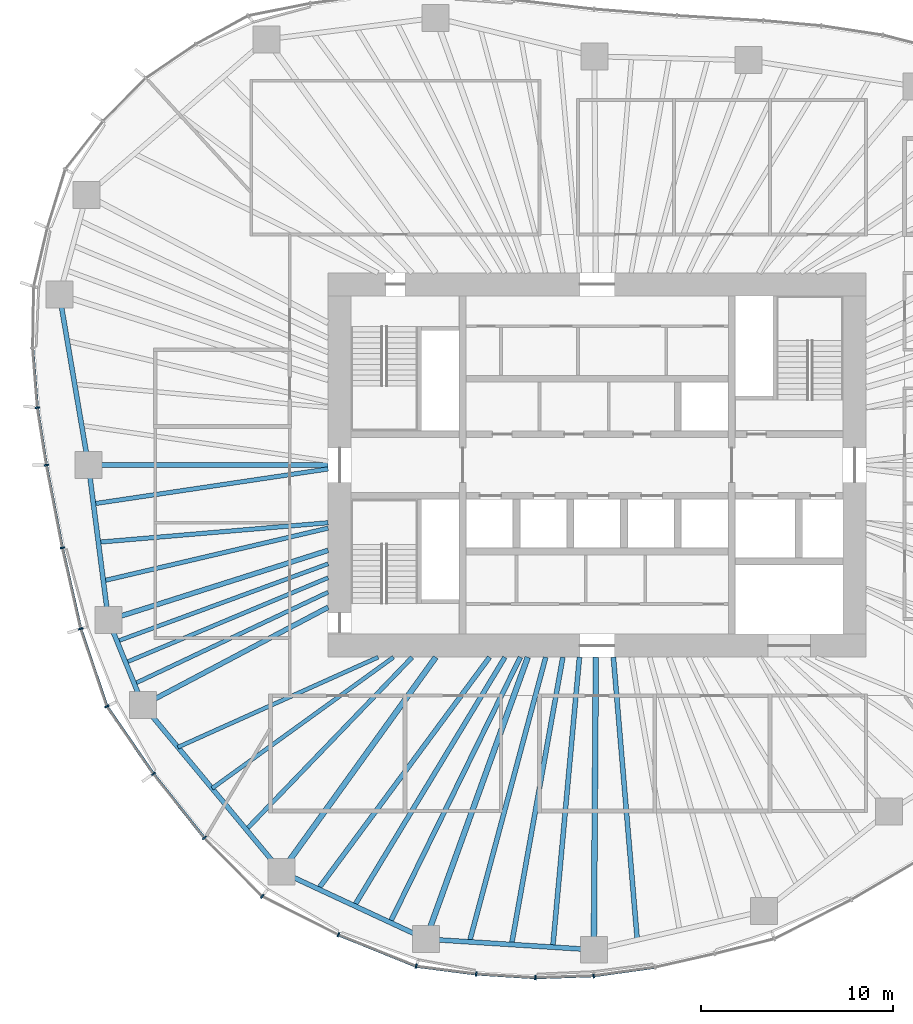
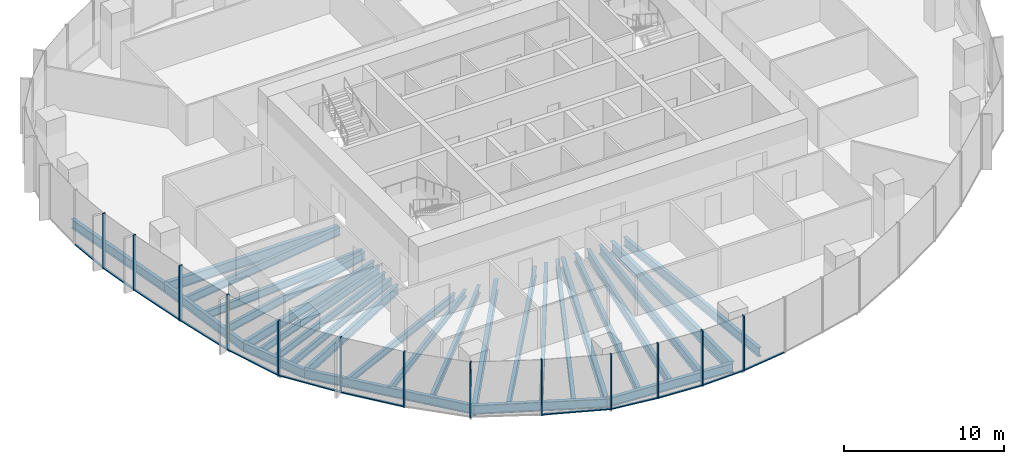
# One storey, part 2 of 18: 28 beams, 25 members, 7 elements without a shape of their own.
"""IFC4 building model written with IfcOpenShell, lengths in metres."""

from ifc_helpers import new_model, si_unit, direction, frame, origin, origin_2d, place, context, subcontext, project, spatial, rectangle, i_section, extrude, material, material_profile, profile_set, type_object, element, aggregate, save


model = new_model("IFC4")

# Units and contexts
model_context = context("Model", 3, precision=1e-05, world=origin(), true_north=direction((0.0, 1.0)))
body_context = subcontext(model_context, "Body", "Model", "MODEL_VIEW")
ifc_project = project(units=[si_unit("LENGTHUNIT", "METRE"), si_unit("AREAUNIT", "SQUARE_METRE"), si_unit("VOLUMEUNIT", "CUBIC_METRE"), si_unit("PLANEANGLEUNIT", "RADIAN"), si_unit("MASSUNIT", "GRAM", prefix="KILO")], contexts=[model_context])

# Site, building, storey
site_placement = place(None, origin())
site = spatial("IfcSite", under=ifc_project, at=site_placement, CompositionType="ELEMENT")
building_placement = place(site_placement, origin())
building = spatial("IfcBuilding", under=site, at=building_placement, Name="Ghaith Harvest Tower", CompositionType="ELEMENT")
storey_placement = place(building_placement, frame((0.0, 0.0, 147.0)))
storey = spatial("IfcBuildingStorey", under=building, at=storey_placement, Name="L31", CompositionType="ELEMENT", Elevation=147.0)

# Curtain wall, member
ifc_material_1 = material(Name="Black anodised aluminium and fritted glass", Category="aluminium")
curtain_wall_type = type_object("IfcCurtainWallType", Name="CW-L CURTAIN WALL", PredefinedType="NOTDEFINED", material=ifc_material_1)
curtain_wall_1_placement = place(storey_placement, origin())
curtain_wall_1 = element("IfcCurtainWall", 1, at=curtain_wall_1_placement, inside=storey, type_object=curtain_wall_type, Name="Curtain wall CW-L bay 10 L31", PredefinedType="NOTDEFINED")
ifc_material_2 = material(Name="Aluminium, black anodised", Category="aluminium")
ifc_material_profile_1 = material_profile(ifc_material_2, rectangle(XDim=0.080078125, YDim=0.239990234375, at=origin_2d()), Name="CW-L MULLION 80x240")
ifc_profile_set_1 = profile_set([ifc_material_profile_1], Name="Aluminium, black anodised")
member_type_1 = type_object("IfcMemberType", Name="CW-L MULLION 80x240", PredefinedType="MULLION", material=ifc_profile_set_1)
member_1_placement = place(storey_placement, frame((-29.131103515625, 2.990478515625, 0.0), z_axis=(0.0, 0.0, 1.0), x_axis=(0.116763791346, -0.993159713757, 0.0)))
member_1 = element("IfcMember", 2, at=member_1_placement, type_object=member_type_1, Name="CW-L mullion 3 bay 10 L31", PredefinedType="MULLION", context=body_context, shape_type="SweptSolid", body=[
    extrude(rectangle(XDim=0.080078125, YDim=0.239990234375, at=origin_2d()), origin(), (0.0, 0.0, 1.0), 4.199951171875),
])

# Curtain wall, members
curtain_wall_2_placement = place(storey_placement, origin())
curtain_wall_2 = element("IfcCurtainWall", 3, at=curtain_wall_2_placement, inside=storey, type_object=curtain_wall_type, Name="Curtain wall CW-L bay 11 L31", PredefinedType="NOTDEFINED")
member_2_placement = place(storey_placement, frame((-28.6611328125, 0.0, 0.0), z_axis=(0.0, 0.0, 1.0), x_axis=(0.175827209372, -0.984421044292, 0.0)))
member_2 = element("IfcMember", 4, at=member_2_placement, type_object=member_type_1, Name="CW-L mullion 1 bay 11 L31", PredefinedType="MULLION", context=body_context, shape_type="SweptSolid", body=[
    extrude(rectangle(XDim=0.080078125, YDim=0.239990234375, at=origin_2d()), origin(), (0.0, 0.0, 1.0), 4.199951171875),
])
member_3_placement = place(storey_placement, frame((-27.828125, -4.30419921875, 0.0), z_axis=(0.0, 0.0, 1.0), x_axis=(0.205176300018, -0.978725030798, 0.0)))
member_3 = element("IfcMember", 5, at=member_3_placement, type_object=member_type_1, Name="CW-L mullion 2 bay 11 L31", PredefinedType="MULLION", context=body_context, shape_type="SweptSolid", body=[
    extrude(rectangle(XDim=0.080078125, YDim=0.239990234375, at=origin_2d()), origin(), (0.0, 0.0, 1.0), 4.199951171875),
])

curtain_wall_3_placement = place(storey_placement, origin())
curtain_wall_3 = element("IfcCurtainWall", 6, at=curtain_wall_3_placement, inside=storey, type_object=curtain_wall_type, Name="Curtain wall CW-L bay 12 L31", PredefinedType="NOTDEFINED")
member_4_placement = place(storey_placement, frame((-26.875732421875, -8.517333984375, 0.0), z_axis=(0.0, 0.0, 1.0), x_axis=(0.270018818005, -0.962855045125, 0.0)))
member_4 = element("IfcMember", 7, at=member_4_placement, type_object=member_type_1, Name="CW-L mullion 1 bay 12 L31", PredefinedType="MULLION", context=body_context, shape_type="SweptSolid", body=[
    extrude(rectangle(XDim=0.080078125, YDim=0.239990234375, at=origin_2d()), origin(), (0.0, 0.0, 1.0), 4.199951171875),
])
member_5_placement = place(storey_placement, frame((-25.513427734375, -12.55810546875, 0.0), z_axis=(0.0, 0.0, 1.0), x_axis=(0.448267068681, -0.893899678452, 0.0)))
member_5 = element("IfcMember", 8, at=member_5_placement, type_object=member_type_1, Name="CW-L mullion 2 bay 12 L31", PredefinedType="MULLION", context=body_context, shape_type="SweptSolid", body=[
    extrude(rectangle(XDim=0.080078125, YDim=0.239990234375, at=origin_2d()), origin(), (0.0, 0.0, 1.0), 4.199951171875),
])

curtain_wall_4_placement = place(storey_placement, origin())
curtain_wall_4 = element("IfcCurtainWall", 9, at=curtain_wall_4_placement, inside=storey, type_object=curtain_wall_type, Name="Curtain wall CW-L bay 13 L31", PredefinedType="NOTDEFINED")
member_6_placement = place(storey_placement, frame((-23.090087890625, -16.066162109375, 0.0), z_axis=(0.0, 0.0, 1.0), x_axis=(0.595740202191, -0.803177198066, 0.0)))
member_6 = element("IfcMember", 10, at=member_6_placement, type_object=member_type_1, Name="CW-L mullion 1 bay 13 L31", PredefinedType="MULLION", context=body_context, shape_type="SweptSolid", body=[
    extrude(rectangle(XDim=0.080078125, YDim=0.239990234375, at=origin_2d()), origin(), (0.0, 0.0, 1.0), 4.199951171875),
])
member_7_placement = place(storey_placement, frame((-20.441162109375, -19.396728515625, 0.0), z_axis=(0.0, 0.0, 1.0), x_axis=(0.663764675537, -0.747941478666, 0.0)))
member_7 = element("IfcMember", 11, at=member_7_placement, type_object=member_type_1, Name="CW-L mullion 2 bay 13 L31", PredefinedType="MULLION", context=body_context, shape_type="SweptSolid", body=[
    extrude(rectangle(XDim=0.080078125, YDim=0.239990234375, at=origin_2d()), origin(), (0.0, 0.0, 1.0), 4.199951171875),
])

curtain_wall_5_placement = place(storey_placement, origin())
curtain_wall_5 = element("IfcCurtainWall", 12, at=curtain_wall_5_placement, inside=storey, type_object=curtain_wall_type, Name="Curtain wall CW-L bay 14 L31", PredefinedType="NOTDEFINED")
member_8_placement = place(storey_placement, frame((-17.430419921875, -22.443603515625, 0.0), z_axis=(0.0, 0.0, 1.0), x_axis=(0.810339399222, -0.585960799089, 0.0)))
member_8 = element("IfcMember", 13, at=member_8_placement, type_object=member_type_1, Name="CW-L mullion 1 bay 14 L31", PredefinedType="MULLION", context=body_context, shape_type="SweptSolid", body=[
    extrude(rectangle(XDim=0.080078125, YDim=0.239990234375, at=origin_2d()), origin(), (0.0, 0.0, 1.0), 4.199951171875),
])
member_9_placement = place(storey_placement, frame((-13.463134765625, -24.4423828125, 0.0), z_axis=(0.0, 0.0, 1.0), x_axis=(0.910648017946, -0.413182995066, 0.0)))
member_9 = element("IfcMember", 14, at=member_9_placement, type_object=member_type_1, Name="CW-L mullion 2 bay 14 L31", PredefinedType="MULLION", context=body_context, shape_type="SweptSolid", body=[
    extrude(rectangle(XDim=0.080078125, YDim=0.239990234375, at=origin_2d()), origin(), (0.0, 0.0, 1.0), 4.199951171875),
])

curtain_wall_6_placement = place(storey_placement, origin())
curtain_wall_6 = element("IfcCurtainWall", 15, at=curtain_wall_6_placement, inside=storey, type_object=curtain_wall_type, Name="Curtain wall CW-L bay 15 L31", PredefinedType="NOTDEFINED")
member_10_placement = place(storey_placement, frame((-9.4189453125, -26.07861328125, 0.0), z_axis=(0.0, 0.0, 1.0), x_axis=(0.961788606004, -0.273793128768, 0.0)))
member_10 = element("IfcMember", 16, at=member_10_placement, type_object=member_type_1, Name="CW-L mullion 1 bay 15 L31", PredefinedType="MULLION", context=body_context, shape_type="SweptSolid", body=[
    extrude(rectangle(XDim=0.080078125, YDim=0.239990234375, at=origin_2d()), origin(), (0.0, 0.0, 1.0), 4.199951171875),
])
member_11_placement = place(storey_placement, frame((-6.29443359375, -26.483154296875, 0.0), z_axis=(0.0, 0.0, 1.0), x_axis=(0.995389243171, -0.095917957546, 0.0)))
member_11 = element("IfcMember", 17, at=member_11_placement, type_object=member_type_1, Name="CW-L mullion 2 bay 15 L31", PredefinedType="MULLION", context=body_context, shape_type="SweptSolid", body=[
    extrude(rectangle(XDim=0.080078125, YDim=0.239990234375, at=origin_2d()), origin(), (0.0, 0.0, 1.0), 4.199951171875),
])
member_12_placement = place(storey_placement, frame((-3.21923828125, -26.676025390625, 0.0), z_axis=(0.0, 0.0, 1.0), x_axis=(0.999890531495, -0.014796115241, 0.0)))
member_12 = element("IfcMember", 18, at=member_12_placement, type_object=member_type_1, Name="CW-L mullion 3 bay 15 L31", PredefinedType="MULLION", context=body_context, shape_type="SweptSolid", body=[
    extrude(rectangle(XDim=0.080078125, YDim=0.239990234375, at=origin_2d()), origin(), (0.0, 0.0, 1.0), 4.199951171875),
])

# Curtain wall, member
curtain_wall_7_placement = place(storey_placement, origin())
curtain_wall_7 = element("IfcCurtainWall", 19, at=curtain_wall_7_placement, inside=storey, type_object=curtain_wall_type, Name="Curtain wall CW-L bay 16 L31", PredefinedType="NOTDEFINED")
member_13_placement = place(storey_placement, frame((-0.181884765625, -26.57373046875, 0.0), z_axis=(0.0, 0.0, 1.0), x_axis=(0.996169227662, 0.087446382772, 0.0)))
member_13 = element("IfcMember", 20, at=member_13_placement, type_object=member_type_1, Name="CW-L mullion 1 bay 16 L31", PredefinedType="MULLION", context=body_context, shape_type="SweptSolid", body=[
    extrude(rectangle(XDim=0.080078125, YDim=0.239990234375, at=origin_2d()), origin(), (0.0, 0.0, 1.0), 4.199951171875),
])

# Member
ifc_material_3 = material(Name="Aluminium, black anodised", Category="aluminium")
ifc_material_profile_2 = material_profile(ifc_material_3, rectangle(XDim=0.14990234375, YDim=0.080078125, at=origin_2d()), Name="CW-L TRANSOM 150x80")
ifc_profile_set_2 = profile_set([ifc_material_profile_2], Name="Aluminium, black anodised")
member_type_2 = type_object("IfcMemberType", Name="CW-L TRANSOM 150x80", PredefinedType="USERDEFINED", material=ifc_profile_set_2)
member_14_placement = place(storey_placement, frame((-29.374755859375, 6.05615234375, 0.0400390625), z_axis=(0.079230491279, -0.996856323274, 0.0), x_axis=(0.996856323274, 0.079230491279, 0.0)))
member_14 = element("IfcMember", 21, at=member_14_placement, type_object=member_type_2, Name="CW-L transom 2 bay 10 L31", ObjectType="TRANSOM", PredefinedType="USERDEFINED", context=body_context, shape_type="SweptSolid", body=[
    extrude(rectangle(XDim=0.14990234375, YDim=0.080078125, at=origin_2d()), origin(), (0.0, 0.0, 1.0), 3.03515625),
])

member_15_placement = place(storey_placement, frame((-29.124755859375, 2.951171875, 0.0400390625), z_axis=(0.155150065502, -0.987890913601, 0.0), x_axis=(0.987890913601, 0.155150065502, 0.0)))
member_15 = element("IfcMember", 22, at=member_15_placement, type_object=member_type_2, Name="CW-L transom 3 bay 10 L31", ObjectType="TRANSOM", PredefinedType="USERDEFINED", context=body_context, shape_type="SweptSolid", body=[
    extrude(rectangle(XDim=0.14990234375, YDim=0.080078125, at=origin_2d()), origin(), (0.0, 0.0, 1.0), 2.947265625),
])

aggregate(curtain_wall_1, [member_14, member_1, member_15])

member_16_placement = place(storey_placement, frame((-28.653564453125, -0.039306640625, 0.0400390625), z_axis=(0.190025434036, -0.981779167848, 0.0), x_axis=(0.981779167848, 0.190025434036, 0.0)))
member_16 = element("IfcMember", 23, at=member_16_placement, type_object=member_type_2, Name="CW-L transom 1 bay 11 L31", ObjectType="TRANSOM", PredefinedType="USERDEFINED", context=body_context, shape_type="SweptSolid", body=[
    extrude(rectangle(XDim=0.14990234375, YDim=0.080078125, at=origin_2d()), origin(), (0.0, 0.0, 1.0), 4.303955078125),
])

member_17_placement = place(storey_placement, frame((-27.8193359375, -4.34326171875, 0.0400390625), z_axis=(0.220508326041, -0.975385092231, 0.0), x_axis=(0.975385092231, 0.220508326041, 0.0)))
member_17 = element("IfcMember", 24, at=member_17_placement, type_object=member_type_2, Name="CW-L transom 2 bay 11 L31", ObjectType="TRANSOM", PredefinedType="USERDEFINED", context=body_context, shape_type="SweptSolid", body=[
    extrude(rectangle(XDim=0.14990234375, YDim=0.080078125, at=origin_2d()), origin(), (0.0, 0.0, 1.0), 4.2392578125),
])

aggregate(curtain_wall_2, [member_2, member_16, member_3, member_17])

member_18_placement = place(storey_placement, frame((-26.863037109375, -8.55517578125, 0.0400390625), z_axis=(0.319499057133, -0.947586593664, 0.0), x_axis=(0.947586593664, 0.319499057133, 0.0)))
member_18 = element("IfcMember", 25, at=member_18_placement, type_object=member_type_2, Name="CW-L transom 1 bay 12 L31", ObjectType="TRANSOM", PredefinedType="USERDEFINED", context=body_context, shape_type="SweptSolid", body=[
    extrude(rectangle(XDim=0.14990234375, YDim=0.080078125, at=origin_2d()), origin(), (0.0, 0.0, 1.0), 4.184326171875),
])

member_19_placement = place(storey_placement, frame((-25.49072265625, -12.591064453125, 0.0400390625), z_axis=(0.568360052499, -0.822779952796, 0.0), x_axis=(0.822779952796, 0.568360052499, 0.0)))
member_19 = element("IfcMember", 26, at=member_19_placement, type_object=member_type_2, Name="CW-L transom 2 bay 12 L31", ObjectType="TRANSOM", PredefinedType="USERDEFINED", context=body_context, shape_type="SweptSolid", body=[
    extrude(rectangle(XDim=0.14990234375, YDim=0.080078125, at=origin_2d()), origin(), (0.0, 0.0, 1.0), 4.183837890625),
])

aggregate(curtain_wall_3, [member_4, member_18, member_5, member_19])

member_20_placement = place(storey_placement, frame((-23.065185546875, -16.09765625, 0.0400390625), z_axis=(0.622510542814, -0.782611413209, 0.0), x_axis=(0.782611413209, 0.622510542814, 0.0)))
member_20 = element("IfcMember", 27, at=member_20_placement, type_object=member_type_2, Name="CW-L transom 1 bay 13 L31", ObjectType="TRANSOM", PredefinedType="USERDEFINED", context=body_context, shape_type="SweptSolid", body=[
    extrude(rectangle(XDim=0.14990234375, YDim=0.080078125, at=origin_2d()), origin(), (0.0, 0.0, 1.0), 4.17529296875),
])

aggregate(curtain_wall_4, [member_6, member_20, member_7])

member_21_placement = place(storey_placement, frame((-13.426025390625, -24.45751953125, 0.0400390625), z_axis=(0.92700297754, -0.375053968959, 0.0), x_axis=(0.375053968959, 0.92700297754, 0.0)))
member_21 = element("IfcMember", 28, at=member_21_placement, type_object=member_type_2, Name="CW-L transom 2 bay 14 L31", ObjectType="TRANSOM", PredefinedType="USERDEFINED", context=body_context, shape_type="SweptSolid", body=[
    extrude(rectangle(XDim=0.14990234375, YDim=0.080078125, at=origin_2d()), origin(), (0.0, 0.0, 1.0), 4.282470703125),
])

aggregate(curtain_wall_5, [member_8, member_9, member_21])

member_22_placement = place(storey_placement, frame((-9.37939453125, -26.083740234375, 0.0400390625), z_axis=(0.991722765635, -0.128397648429, 0.0), x_axis=(0.128397648429, 0.991722765635, 0.0)))
member_22 = element("IfcMember", 29, at=member_22_placement, type_object=member_type_2, Name="CW-L transom 1 bay 15 L31", ObjectType="TRANSOM", PredefinedType="USERDEFINED", context=body_context, shape_type="SweptSolid", body=[
    extrude(rectangle(XDim=0.14990234375, YDim=0.080078125, at=origin_2d()), origin(), (0.0, 0.0, 1.0), 3.07080078125),
])

member_23_placement = place(storey_placement, frame((-6.25439453125, -26.485595703125, 0.0400390625), z_axis=(0.998036402434, -0.062636566132, 0.0), x_axis=(0.062636566132, 0.998036402434, 0.0)))
member_23 = element("IfcMember", 30, at=member_23_placement, type_object=member_type_2, Name="CW-L transom 2 bay 15 L31", ObjectType="TRANSOM", PredefinedType="USERDEFINED", context=body_context, shape_type="SweptSolid", body=[
    extrude(rectangle(XDim=0.14990234375, YDim=0.080078125, at=origin_2d()), origin(), (0.0, 0.0, 1.0), 3.001220703125),
])

member_24_placement = place(storey_placement, frame((-3.17919921875, -26.6748046875, 0.0400390625), z_axis=(0.999430436664, 0.033746144522, 0.0), x_axis=(-0.033746144522, 0.999430436664, 0.0)))
member_24 = element("IfcMember", 31, at=member_24_placement, type_object=member_type_2, Name="CW-L transom 3 bay 15 L31", ObjectType="TRANSOM", PredefinedType="USERDEFINED", context=body_context, shape_type="SweptSolid", body=[
    extrude(rectangle(XDim=0.14990234375, YDim=0.080078125, at=origin_2d()), origin(), (0.0, 0.0, 1.0), 2.958984375),
])

aggregate(curtain_wall_6, [member_10, member_22, member_11, member_23, member_12, member_24])

member_25_placement = place(storey_placement, frame((-0.142333984375, -26.568115234375, 0.0400390625), z_axis=(0.990446640965, 0.137896524254, 0.0), x_axis=(-0.137896524254, 0.990446640965, 0.0)))
member_25 = element("IfcMember", 32, at=member_25_placement, type_object=member_type_2, Name="CW-L transom 1 bay 16 L31", ObjectType="TRANSOM", PredefinedType="USERDEFINED", context=body_context, shape_type="SweptSolid", body=[
    extrude(rectangle(XDim=0.14990234375, YDim=0.080078125, at=origin_2d()), origin(), (0.0, 0.0, 1.0), 3.142578125),
])

aggregate(curtain_wall_7, [member_13, member_25])

# Beams
ifc_material_4 = material(Name="Steel ASTM A992 Grade 50", Category="steel")
ifc_material_profile_3 = material_profile(ifc_material_4, i_section(OverallWidth=0.25390625, OverallDepth=0.68408203125, WebThickness=0.012451171875, FlangeThickness=0.018798828125, at=origin_2d()), Name="W690X140")
ifc_profile_set_3 = profile_set([ifc_material_profile_3], Name="Steel ASTM A992 Grade 50")
beam_type_1 = type_object("IfcBeamType", Name="E690-140 W690X140", PredefinedType="SPANDREL", material=ifc_profile_set_3)
beam_1_placement = place(storey_placement, frame((-27.98291015625, 8.867919921875, -0.511962890625), z_axis=(0.167624246844, -0.985850958244, 0.0), x_axis=(0.985850958244, 0.167624246844, 0.0)))
element("IfcBeam", 33, at=beam_1_placement, inside=storey, type_object=beam_type_1, Name="Edge beam E10 L31", PredefinedType="SPANDREL", context=body_context, shape_type="SweptSolid", body=[
    extrude(i_section(OverallWidth=0.25390625, OverallDepth=0.68408203125, WebThickness=0.012451171875, FlangeThickness=0.018798828125, at=origin_2d()), origin(), (0.0, 0.0, 1.0), 8.9951171875),
])
beam_2_placement = place(storey_placement, frame((-26.47509765625, 0.0, -0.511962890625), z_axis=(0.127841715048, -0.991794583517, 0.0), x_axis=(0.991794583517, 0.127841715048, 0.0)))
element("IfcBeam", 34, at=beam_2_placement, inside=storey, type_object=beam_type_1, Name="Edge beam E11 L31", PredefinedType="SPANDREL", context=body_context, shape_type="SweptSolid", body=[
    extrude(i_section(OverallWidth=0.25390625, OverallDepth=0.68408203125, WebThickness=0.012451171875, FlangeThickness=0.018798828125, at=origin_2d()), origin(), (0.0, 0.0, 1.0), 8.127685546875),
])
beam_3_placement = place(storey_placement, frame((-25.43603515625, -8.06103515625, -0.511962890625), z_axis=(0.376479712052, -0.9264248628, 0.0), x_axis=(0.9264248628, 0.376479712052, 0.0)))
element("IfcBeam", 35, at=beam_3_placement, inside=storey, type_object=beam_type_1, Name="Edge beam E12 L31", PredefinedType="SPANDREL", context=body_context, shape_type="SweptSolid", body=[
    extrude(i_section(OverallWidth=0.25390625, OverallDepth=0.68408203125, WebThickness=0.012451171875, FlangeThickness=0.018798828125, at=origin_2d()), origin(), (0.0, 0.0, 1.0), 4.783935546875),
])
beam_4_placement = place(storey_placement, frame((-23.635009765625, -12.492919921875, -0.511962890625), z_axis=(0.638719320052, -0.769439815835, 0.0), x_axis=(0.769439815835, 0.638719320052, 0.0)))
element("IfcBeam", 36, at=beam_4_placement, inside=storey, type_object=beam_type_1, Name="Edge beam E13 L31", PredefinedType="SPANDREL", context=body_context, shape_type="SweptSolid", body=[
    extrude(i_section(OverallWidth=0.25390625, OverallDepth=0.68408203125, WebThickness=0.012451171875, FlangeThickness=0.018798828125, at=origin_2d()), origin(), (0.0, 0.0, 1.0), 11.26953125),
])
beam_5_placement = place(storey_placement, frame((-16.43701171875, -21.1640625, -0.511962890625), z_axis=(0.906607079462, -0.421975832802, 0.0), x_axis=(0.421975832802, 0.906607079462, 0.0)))
element("IfcBeam", 37, at=beam_5_placement, inside=storey, type_object=beam_type_1, Name="Edge beam E14 L31", PredefinedType="SPANDREL", context=body_context, shape_type="SweptSolid", body=[
    extrude(i_section(OverallWidth=0.25390625, OverallDepth=0.68408203125, WebThickness=0.012451171875, FlangeThickness=0.018798828125, at=origin_2d()), origin(), (0.0, 0.0, 1.0), 8.303466796875),
])
beam_6_placement = place(storey_placement, frame((-8.908935546875, -24.66796875, -0.511962890625), z_axis=(0.99797963184, -0.063534671101, 0.0), x_axis=(0.063534671101, 0.99797963184, 0.0)))
element("IfcBeam", 38, at=beam_6_placement, inside=storey, type_object=beam_type_1, Name="Edge beam E15 L31", PredefinedType="SPANDREL", context=body_context, shape_type="SweptSolid", body=[
    extrude(i_section(OverallWidth=0.25390625, OverallDepth=0.68408203125, WebThickness=0.012451171875, FlangeThickness=0.018798828125, at=origin_2d()), origin(), (0.0, 0.0, 1.0), 8.75341796875),
])
ifc_material_5 = material(Name="Steel ASTM A992 Grade 50", Category="steel")
ifc_material_profile_4 = material_profile(ifc_material_5, i_section(OverallWidth=0.256103515625, OverallDepth=0.693115234375, WebThickness=0.014404296875, FlangeThickness=0.023681640625, at=origin_2d()), Name="W690X170")
ifc_profile_set_4 = profile_set([ifc_material_profile_4], Name="Steel ASTM A992 Grade 50")
beam_type_2 = type_object("IfcBeamType", Name="G690-170 W690X170", PredefinedType="BEAM", material=ifc_profile_set_4)
beam_7_placement = place(storey_placement, frame((-14.0, -4.43701171875, -0.5166015625), z_axis=(-0.953279533519, -0.302089607522, 0.0), x_axis=(0.302089607522, -0.953279533519, 0.0)))
element("IfcBeam", 39, at=beam_7_placement, inside=storey, type_object=beam_type_2, Name="Radial girder G12 L31", PredefinedType="BEAM", context=body_context, shape_type="SweptSolid", body=[
    extrude(i_section(OverallWidth=0.256103515625, OverallDepth=0.693115234375, WebThickness=0.014404296875, FlangeThickness=0.023681640625, at=origin_2d()), origin(), (0.0, 0.0, 1.0), 11.99658203125),
])
beam_8_placement = place(storey_placement, frame((-14.0, -7.39990234375, -0.5166015625), z_axis=(-0.884086346066, -0.467323584576, 0.0), x_axis=(0.467323584576, -0.884086346066, 0.0)))
element("IfcBeam", 40, at=beam_8_placement, inside=storey, type_object=beam_type_2, Name="Radial girder G13 L31", PredefinedType="BEAM", context=body_context, shape_type="SweptSolid", body=[
    extrude(i_section(OverallWidth=0.256103515625, OverallDepth=0.693115234375, WebThickness=0.014404296875, FlangeThickness=0.023681640625, at=origin_2d()), origin(), (0.0, 0.0, 1.0), 10.898193359375),
])
ifc_material_6 = material(Name="Steel ASTM A992 Grade 50", Category="steel")
ifc_material_profile_5 = material_profile(ifc_material_6, i_section(OverallWidth=0.26806640625, OverallDepth=0.77001953125, WebThickness=0.015625, FlangeThickness=0.025390625, at=origin_2d()), Name="W760X196")
ifc_profile_set_5 = profile_set([ifc_material_profile_5], Name="Steel ASTM A992 Grade 50")
beam_type_3 = type_object("IfcBeamType", Name="G760-196 W760X196", PredefinedType="BEAM", material=ifc_profile_set_5)
beam_9_placement = place(storey_placement, frame((-14.0, 0.0, -0.554931640625), z_axis=(-1.0, 0.0, 0.0), x_axis=(0.0, -1.0, 0.0)))
element("IfcBeam", 41, at=beam_9_placement, inside=storey, type_object=beam_type_3, Name="Radial girder G11 L31", PredefinedType="BEAM", context=body_context, shape_type="SweptSolid", body=[
    extrude(i_section(OverallWidth=0.26806640625, OverallDepth=0.77001953125, WebThickness=0.015625, FlangeThickness=0.025390625, at=origin_2d()), origin(), (0.0, 0.0, 1.0), 12.47509765625),
])
ifc_material_7 = material(Name="Steel ASTM A992 Grade 50", Category="steel")
ifc_material_profile_6 = material_profile(ifc_material_7, i_section(OverallWidth=0.2939453125, OverallDepth=0.85107421875, WebThickness=0.01611328125, FlangeThickness=0.02685546875, at=origin_2d()), Name="W840X226")
ifc_profile_set_6 = profile_set([ifc_material_profile_6], Name="Steel ASTM A992 Grade 50")
beam_type_4 = type_object("IfcBeamType", Name="G840-226 W840X226", PredefinedType="BEAM", material=ifc_profile_set_6)
beam_10_placement = place(storey_placement, frame((-8.39990234375, -10.0, -0.595458984375), z_axis=(-0.584256100809, -0.811569349265, 0.0), x_axis=(0.811569349265, -0.584256100809, 0.0)))
element("IfcBeam", 42, at=beam_10_placement, inside=storey, type_object=beam_type_4, Name="Radial girder G14 L31", PredefinedType="BEAM", context=body_context, shape_type="SweptSolid", body=[
    extrude(i_section(OverallWidth=0.2939453125, OverallDepth=0.85107421875, WebThickness=0.01611328125, FlangeThickness=0.02685546875, at=origin_2d()), origin(), (0.0, 0.0, 1.0), 13.756103515625),
])
beam_11_placement = place(storey_placement, frame((-3.61181640625, -10.0, -0.595458984375), z_axis=(-0.339664467784, -0.940546675782, 0.0), x_axis=(0.940546675782, -0.339664467784, 0.0)))
element("IfcBeam", 43, at=beam_11_placement, inside=storey, type_object=beam_type_4, Name="Radial girder G15 L31", PredefinedType="BEAM", context=body_context, shape_type="SweptSolid", body=[
    extrude(i_section(OverallWidth=0.2939453125, OverallDepth=0.85107421875, WebThickness=0.01611328125, FlangeThickness=0.02685546875, at=origin_2d()), origin(), (0.0, 0.0, 1.0), 15.59521484375),
])
beam_12_placement = place(storey_placement, frame((-0.068359375, -10.0, -0.595458984375), z_axis=(-0.006879467722, -0.999976336182, 0.0), x_axis=(0.999976336182, -0.006879467722, 0.0)))
element("IfcBeam", 44, at=beam_12_placement, inside=storey, type_object=beam_type_4, Name="Radial girder G16 L31", PredefinedType="BEAM", context=body_context, shape_type="SweptSolid", body=[
    extrude(i_section(OverallWidth=0.2939453125, OverallDepth=0.85107421875, WebThickness=0.01611328125, FlangeThickness=0.02685546875, at=origin_2d()), origin(), (0.0, 0.0, 1.0), 15.224365234375),
])
ifc_material_8 = material(Name="Steel ASTM A992 Grade 50", Category="steel")
ifc_material_profile_7 = material_profile(ifc_material_8, i_section(OverallWidth=0.2109375, OverallDepth=0.5390625, WebThickness=0.01171875, FlangeThickness=0.018798828125, at=origin_2d()), Name="W530X109")
ifc_profile_set_7 = profile_set([ifc_material_profile_7], Name="Steel ASTM A992 Grade 50")
beam_type_5 = type_object("IfcBeamType", Name="J530-109 W530X109", PredefinedType="JOIST", material=ifc_profile_set_7)
beam_13_placement = place(storey_placement, frame((-14.0, -5.137939453125, -0.439453125), z_axis=(-0.938774452531, -0.344532331247, 0.0), x_axis=(0.344532331247, -0.938774452531, 0.0)))
element("IfcBeam", 45, at=beam_13_placement, inside=storey, type_object=beam_type_5, Name="Joist J12.1 L31", PredefinedType="JOIST", context=body_context, shape_type="SweptSolid", body=[
    extrude(i_section(OverallWidth=0.2109375, OverallDepth=0.5390625, WebThickness=0.01171875, FlangeThickness=0.018798828125, at=origin_2d()), origin(), (0.0, 0.0, 1.0), 11.7021484375),
])
beam_14_placement = place(storey_placement, frame((-14.0, -5.862548828125, -0.439453125), z_axis=(-0.922385564947, -0.386270461693, 0.0), x_axis=(0.386270461693, -0.922385564947, 0.0)))
element("IfcBeam", 46, at=beam_14_placement, inside=storey, type_object=beam_type_5, Name="Joist J12.2 L31", PredefinedType="JOIST", context=body_context, shape_type="SweptSolid", body=[
    extrude(i_section(OverallWidth=0.2109375, OverallDepth=0.5390625, WebThickness=0.01171875, FlangeThickness=0.018798828125, at=origin_2d()), origin(), (0.0, 0.0, 1.0), 11.4228515625),
])
beam_15_placement = place(storey_placement, frame((-14.0, -6.614990234375, -0.439453125), z_axis=(-0.904150042111, -0.427215052815, 0.0), x_axis=(0.427215052815, -0.904150042111, 0.0)))
element("IfcBeam", 47, at=beam_15_placement, inside=storey, type_object=beam_type_5, Name="Joist J12.3 L31", PredefinedType="JOIST", context=body_context, shape_type="SweptSolid", body=[
    extrude(i_section(OverallWidth=0.2109375, OverallDepth=0.5390625, WebThickness=0.01171875, FlangeThickness=0.018798828125, at=origin_2d()), origin(), (0.0, 0.0, 1.0), 11.15625),
])
beam_16_placement = place(storey_placement, frame((-11.39990234375, -10.0, -0.439453125), z_axis=(-0.912147734774, -0.409861574127, 0.0), x_axis=(0.409861574127, -0.912147734774, 0.0)))
element("IfcBeam", 48, at=beam_16_placement, inside=storey, type_object=beam_type_5, Name="Joist J13.1 L31", PredefinedType="JOIST", context=body_context, shape_type="SweptSolid", body=[
    extrude(i_section(OverallWidth=0.2109375, OverallDepth=0.5390625, WebThickness=0.01171875, FlangeThickness=0.018798828125, at=origin_2d()), origin(), (0.0, 0.0, 1.0), 11.421875),
])
beam_17_placement = place(storey_placement, frame((-10.60009765625, -10.0, -0.439453125), z_axis=(-0.810452010932, -0.5858050341, 0.0), x_axis=(0.5858050341, -0.810452010932, 0.0)))
element("IfcBeam", 49, at=beam_17_placement, inside=storey, type_object=beam_type_5, Name="Joist J13.2 L31", PredefinedType="JOIST", context=body_context, shape_type="SweptSolid", body=[
    extrude(i_section(OverallWidth=0.2109375, OverallDepth=0.5390625, WebThickness=0.01171875, FlangeThickness=0.018798828125, at=origin_2d()), origin(), (0.0, 0.0, 1.0), 11.64794921875),
])
ifc_material_9 = material(Name="Steel ASTM A992 Grade 50", Category="steel")
ifc_material_profile_8 = material_profile(ifc_material_9, i_section(OverallWidth=0.22900390625, OverallDepth=0.612060546875, WebThickness=0.011962890625, FlangeThickness=0.01953125, at=origin_2d()), Name="W610X125")
ifc_profile_set_8 = profile_set([ifc_material_profile_8], Name="Steel ASTM A992 Grade 50")
beam_type_6 = type_object("IfcBeamType", Name="J610-125 W610X125", PredefinedType="JOIST", material=ifc_profile_set_8)
beam_18_placement = place(storey_placement, frame((-14.0, -0.199951171875, -0.47607421875), z_axis=(-0.989135422742, -0.147007195321, 0.0), x_axis=(0.147007195321, -0.989135422742, 0.0)))
element("IfcBeam", 50, at=beam_18_placement, inside=storey, type_object=beam_type_6, Name="Joist J11.1 L31", PredefinedType="JOIST", context=body_context, shape_type="SweptSolid", body=[
    extrude(i_section(OverallWidth=0.22900390625, OverallDepth=0.612060546875, WebThickness=0.011962890625, FlangeThickness=0.01953125, at=origin_2d()), origin(), (0.0, 0.0, 1.0), 12.349365234375),
])
beam_19_placement = place(storey_placement, frame((-14.0, -3.0, -0.47607421875), z_axis=(-0.996417474722, -0.0845707755, 0.0), x_axis=(0.0845707755, -0.996417474722, 0.0)))
element("IfcBeam", 51, at=beam_19_placement, inside=storey, type_object=beam_type_6, Name="Joist J11.2 L31", PredefinedType="JOIST", context=body_context, shape_type="SweptSolid", body=[
    extrude(i_section(OverallWidth=0.22900390625, OverallDepth=0.612060546875, WebThickness=0.011962890625, FlangeThickness=0.01953125, at=origin_2d()), origin(), (0.0, 0.0, 1.0), 12.00048828125),
])
beam_20_placement = place(storey_placement, frame((-14.0, -3.280517578125, -0.47607421875), z_axis=(-0.973624350862, -0.228157014813, 0.0), x_axis=(0.228157014813, -0.973624350862, 0.0)))
element("IfcBeam", 52, at=beam_20_placement, inside=storey, type_object=beam_type_6, Name="Joist J11.3 L31", PredefinedType="JOIST", context=body_context, shape_type="SweptSolid", body=[
    extrude(i_section(OverallWidth=0.22900390625, OverallDepth=0.612060546875, WebThickness=0.011962890625, FlangeThickness=0.01953125, at=origin_2d()), origin(), (0.0, 0.0, 1.0), 12.015625),
])
beam_21_placement = place(storey_placement, frame((-9.626708984375, -10.0, -0.47607421875), z_axis=(-0.693534641621, -0.720423278963, 0.0), x_axis=(0.720423278963, -0.693534641621, 0.0)))
element("IfcBeam", 53, at=beam_21_placement, inside=storey, type_object=beam_type_6, Name="Joist J13.3 L31", PredefinedType="JOIST", context=body_context, shape_type="SweptSolid", body=[
    extrude(i_section(OverallWidth=0.22900390625, OverallDepth=0.612060546875, WebThickness=0.011962890625, FlangeThickness=0.01953125, at=origin_2d()), origin(), (0.0, 0.0, 1.0), 12.4482421875),
])
ifc_material_10 = material(Name="Steel ASTM A992 Grade 50", Category="steel")
ifc_material_profile_9 = material_profile(ifc_material_10, i_section(OverallWidth=0.25390625, OverallDepth=0.68408203125, WebThickness=0.012451171875, FlangeThickness=0.018798828125, at=origin_2d()), Name="W690X140")
ifc_profile_set_9 = profile_set([ifc_material_profile_9], Name="Steel ASTM A992 Grade 50")
beam_type_7 = type_object("IfcBeamType", Name="J690-140 W690X140", PredefinedType="JOIST", material=ifc_profile_set_9)
beam_22_placement = place(storey_placement, frame((-5.60009765625, -10.0, -0.511962890625), z_axis=(-0.59434024765, -0.804213696739, 0.0), x_axis=(0.804213696739, -0.59434024765, 0.0)))
element("IfcBeam", 54, at=beam_22_placement, inside=storey, type_object=beam_type_7, Name="Joist J14.1 L31", PredefinedType="JOIST", context=body_context, shape_type="SweptSolid", body=[
    extrude(i_section(OverallWidth=0.25390625, OverallDepth=0.68408203125, WebThickness=0.012451171875, FlangeThickness=0.018798828125, at=origin_2d()), origin(), (0.0, 0.0, 1.0), 14.995849609375),
])
beam_23_placement = place(storey_placement, frame((-4.800048828125, -10.0, -0.511962890625), z_axis=(-0.517986442874, -0.855388826791, 0.0), x_axis=(0.855388826791, -0.517986442874, 0.0)))
element("IfcBeam", 55, at=beam_23_placement, inside=storey, type_object=beam_type_7, Name="Joist J14.2 L31", PredefinedType="JOIST", context=body_context, shape_type="SweptSolid", body=[
    extrude(i_section(OverallWidth=0.25390625, OverallDepth=0.68408203125, WebThickness=0.012451171875, FlangeThickness=0.018798828125, at=origin_2d()), origin(), (0.0, 0.0, 1.0), 15.12158203125),
])
beam_24_placement = place(storey_placement, frame((-4.0, -10.0, -0.511962890625), z_axis=(-0.440562898219, -0.897721745706, 0.0), x_axis=(0.897721745706, -0.440562898219, 0.0)))
element("IfcBeam", 56, at=beam_24_placement, inside=storey, type_object=beam_type_7, Name="Joist J14.3 L31", PredefinedType="JOIST", context=body_context, shape_type="SweptSolid", body=[
    extrude(i_section(OverallWidth=0.25390625, OverallDepth=0.68408203125, WebThickness=0.012451171875, FlangeThickness=0.018798828125, at=origin_2d()), origin(), (0.0, 0.0, 1.0), 15.372802734375),
])
beam_25_placement = place(storey_placement, frame((-2.677978515625, -10.0, -0.511962890625), z_axis=(-0.258693109612, -0.965959561803, 0.0), x_axis=(0.965959561803, -0.258693109612, 0.0)))
element("IfcBeam", 57, at=beam_25_placement, inside=storey, type_object=beam_type_7, Name="Joist J15.1 L31", PredefinedType="JOIST", context=body_context, shape_type="SweptSolid", body=[
    extrude(i_section(OverallWidth=0.25390625, OverallDepth=0.68408203125, WebThickness=0.012451171875, FlangeThickness=0.018798828125, at=origin_2d()), origin(), (0.0, 0.0, 1.0), 15.333984375),
])
beam_26_placement = place(storey_placement, frame((-1.785888671875, -10.0, -0.511962890625), z_axis=(-0.175792307544, -0.984427277461, 0.0), x_axis=(0.984427277461, -0.175792307544, 0.0)))
element("IfcBeam", 58, at=beam_26_placement, inside=storey, type_object=beam_type_7, Name="Joist J15.2 L31", PredefinedType="JOIST", context=body_context, shape_type="SweptSolid", body=[
    extrude(i_section(OverallWidth=0.25390625, OverallDepth=0.68408203125, WebThickness=0.012451171875, FlangeThickness=0.018798828125, at=origin_2d()), origin(), (0.0, 0.0, 1.0), 15.18798828125),
])
beam_27_placement = place(storey_placement, frame((-0.92041015625, -10.0, -0.511962890625), z_axis=(-0.091651457116, -0.995791147987, 0.0), x_axis=(0.995791147987, -0.091651457116, 0.0)))
element("IfcBeam", 59, at=beam_27_placement, inside=storey, type_object=beam_type_7, Name="Joist J15.3 L31", PredefinedType="JOIST", context=body_context, shape_type="SweptSolid", body=[
    extrude(i_section(OverallWidth=0.25390625, OverallDepth=0.68408203125, WebThickness=0.012451171875, FlangeThickness=0.018798828125, at=origin_2d()), origin(), (0.0, 0.0, 1.0), 15.151611328125),
])
beam_28_placement = place(storey_placement, frame((0.844970703125, -10.0, -0.511962890625), z_axis=(0.084208979751, -0.996448115924, 0.0), x_axis=(0.996448115924, 0.084208979751, 0.0)))
element("IfcBeam", 60, at=beam_28_placement, inside=storey, type_object=beam_type_7, Name="Joist J16.1 L31", PredefinedType="JOIST", context=body_context, shape_type="SweptSolid", body=[
    extrude(i_section(OverallWidth=0.25390625, OverallDepth=0.68408203125, WebThickness=0.012451171875, FlangeThickness=0.018798828125, at=origin_2d()), origin(), (0.0, 0.0, 1.0), 14.760009765625),
])

save(model, "model.ifc")
